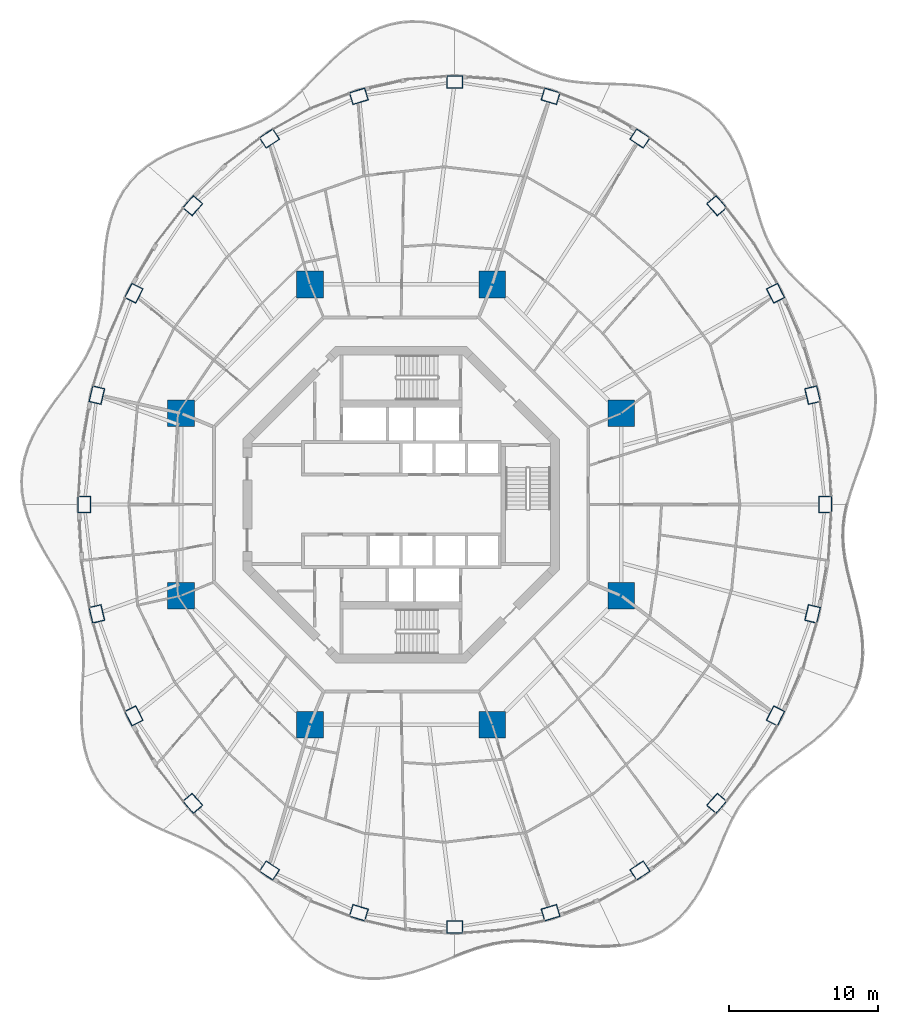
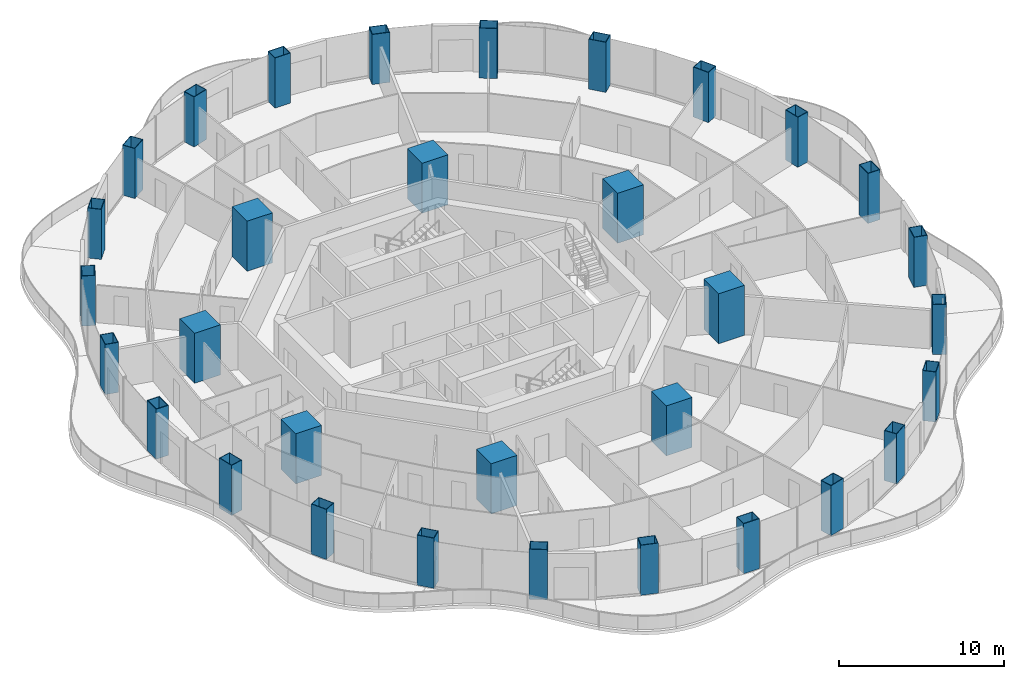
# One storey, part 1 of 19: 32 columns.
"""IFC4 building model written with IfcOpenShell, lengths in metres."""

from ifc_helpers import new_model, si_unit, direction, frame, origin, origin_2d, place, context, subcontext, project, spatial, rectangle, hollow_rectangle, extrude, material, material_profile, profile_set, type_object, element, save


model = new_model("IFC4")

# Units and contexts
model_context = context("Model", 3, precision=1e-05, world=origin(), true_north=direction((0.0, 1.0)))
body_context = subcontext(model_context, "Body", "Model", "MODEL_VIEW")
ifc_project = project(units=[si_unit("LENGTHUNIT", "METRE"), si_unit("AREAUNIT", "SQUARE_METRE"), si_unit("VOLUMEUNIT", "CUBIC_METRE"), si_unit("PLANEANGLEUNIT", "RADIAN"), si_unit("MASSUNIT", "GRAM", prefix="KILO")], contexts=[model_context])

# Site, building, storey
site_placement = place(None, origin())
site = spatial("IfcSite", under=ifc_project, at=site_placement, CompositionType="ELEMENT")
building_placement = place(site_placement, origin())
building = spatial("IfcBuilding", under=site, at=building_placement, Name="Nagisa Residences", CompositionType="ELEMENT")
storey_placement = place(building_placement, frame((0.0, 0.0, 169.60009765625)))
storey = spatial("IfcBuildingStorey", under=building, at=storey_placement, Name="L42", CompositionType="ELEMENT", Elevation=169.60009765625)

# Columns
ifc_material_1 = material(Name="Concrete C80", Category="concrete")
ifc_material_profile_1 = material_profile(ifc_material_1, rectangle(XDim=1.800048828125, YDim=1.800048828125, at=origin_2d()), Name="C80 1800x1800")
ifc_profile_set_1 = profile_set([ifc_material_profile_1], Name="Concrete C80")
column_type_1 = type_object("IfcColumnType", Name="Inner megacolumn C80 1800x1800", PredefinedType="COLUMN", material=ifc_profile_set_1)
for number, where, z_axis, x_axis, name in (
    (1, (14.781982421875, 6.123046875, 0.0), (0.0, 0.0, 1.0), (1.0, 0.0, 0.0), "col:L42:i1"),
    (2, (6.123046875, 14.781982421875, 0.0), (0.0, 0.0, 1.0), (1.0, 0.0, 0.0), "col:L42:i2"),
    (3, (-6.123046875, 14.781982421875, 0.0), (0.0, 0.0, 1.0), (1.0, 0.0, 0.0), "col:L42:i3"),
    (4, (-14.781982421875, 6.123046875, 0.0), (0.0, 0.0, 1.0), (1.0, 0.0, 0.0), "col:L42:i4"),
    (5, (-14.781982421875, -6.123046875, 0.0), (0.0, 0.0, 1.0), (1.0, 0.0, 0.0), "col:L42:i5"),
    (6, (-6.123046875, -14.781982421875, 0.0), (0.0, 0.0, 1.0), (1.0, 0.0, 0.0), "col:L42:i6"),
    (7, (6.123046875, -14.781982421875, 0.0), (0.0, 0.0, 1.0), (1.0, 0.0, 0.0), "col:L42:i7"),
    (8, (14.781982421875, -6.123046875, 0.0), (0.0, 0.0, 1.0), (1.0, 0.0, 0.0), "col:L42:i8"),
):
    element("IfcColumn", number, at=place(storey_placement, frame(where, z_axis=z_axis, x_axis=x_axis)), inside=storey, type_object=column_type_1, Name=name, PredefinedType="COLUMN", context=body_context, shape_type="SweptSolid", body=[
        extrude(rectangle(XDim=1.800048828125, YDim=1.800048828125, at=origin_2d()), origin(), (0.0, 0.0, 1.0), 3.699951171875),
    ])
ifc_material_2 = material(Name="Steel ASTM A572 Gr 50", Category="steel")
ifc_material_profile_2 = material_profile(ifc_material_2, hollow_rectangle(XDim=1.10009765625, YDim=0.85009765625, WallThickness=0.035888671875, at=origin_2d()), Name="BX 1100x850x36")
ifc_profile_set_2 = profile_set([ifc_material_profile_2], Name="Steel ASTM A572 Gr 50")
column_type_2 = type_object("IfcColumnType", Name="Perimeter column BX 1100x850x36", PredefinedType="COLUMN", material=ifc_profile_set_2)
for number, where, z_axis, x_axis, name in (
    (9, (28.47509765625, 0.0, 0.0), (0.0, 0.0, 1.0), (0.0, 1.0, 0.0), "col:L42:p00"),
    (10, (27.62744140625, 7.343994140625, 0.0), (0.0, 0.0, 1.0), (-0.229202013103, 0.973378876486, 0.0), "col:L42:p01"),
    (11, (25.142333984375, 14.1875, 0.0), (0.0, 0.0, 1.0), (-0.452462697578, 0.891783329795, 0.0), "col:L42:p02"),
    (12, (21.189208984375, 20.064208984375, 0.0), (0.0, 0.0, 1.0), (-0.660114607735, 0.751164898445, 0.0), "col:L42:p03"),
    (13, (16.03759765625, 24.573486328125, 0.0), (0.0, 0.0, 1.0), (-0.835766105673, 0.54908561865, 0.0), "col:L42:p04"),
    (14, (10.0380859375, 27.408203125, 0.0), (0.0, 0.0, 1.0), (-0.956524583408, 0.291651712384, 0.0), "col:L42:p05"),
    (15, (3.60009765625, 28.375, 0.0), (0.0, 0.0, 1.0), (-1.0, 0.0, 0.0), "col:L42:p06"),
    (16, (-2.838134765625, 27.408203125, 0.0), (0.0, 0.0, 1.0), (-0.956524583408, -0.291651712384, 0.0), "col:L42:p07"),
    (17, (-8.83740234375, 24.573486328125, 0.0), (0.0, 0.0, 1.0), (-0.835766105673, -0.54908561865, 0.0), "col:L42:p08"),
    (18, (-13.9892578125, 20.064208984375, 0.0), (0.0, 0.0, 1.0), (-0.660114607735, -0.751164898445, 0.0), "col:L42:p09"),
    (19, (-17.9423828125, 14.1875, 0.0), (0.0, 0.0, 1.0), (-0.452462697578, -0.891783329795, 0.0), "col:L42:p10"),
    (20, (-20.427490234375, 7.343994140625, 0.0), (0.0, 0.0, 1.0), (-0.229202013103, -0.973378876486, 0.0), "col:L42:p11"),
    (21, (-21.27490234375, 0.0, 0.0), (0.0, 0.0, 1.0), (0.0, -1.0, 0.0), "col:L42:p12"),
    (22, (-20.427490234375, -7.343994140625, 0.0), (0.0, 0.0, 1.0), (0.229202013103, -0.973378876486, 0.0), "col:L42:p13"),
    (23, (-17.9423828125, -14.1875, 0.0), (0.0, 0.0, 1.0), (0.452462697578, -0.891783329795, 0.0), "col:L42:p14"),
    (24, (-13.9892578125, -20.064208984375, 0.0), (0.0, 0.0, 1.0), (0.660114607735, -0.751164898445, 0.0), "col:L42:p15"),
    (25, (-8.83740234375, -24.573486328125, 0.0), (0.0, 0.0, 1.0), (0.835766105673, -0.54908561865, 0.0), "col:L42:p16"),
    (26, (-2.838134765625, -27.408203125, 0.0), (0.0, 0.0, 1.0), (0.956524583408, -0.291651712384, 0.0), "col:L42:p17"),
    (27, (3.60009765625, -28.375, 0.0), (0.0, 0.0, 1.0), (1.0, 0.0, 0.0), "col:L42:p18"),
    (28, (10.0380859375, -27.408203125, 0.0), (0.0, 0.0, 1.0), (0.956524583408, 0.291651712384, 0.0), "col:L42:p19"),
    (29, (16.03759765625, -24.573486328125, 0.0), (0.0, 0.0, 1.0), (0.835766105673, 0.54908561865, 0.0), "col:L42:p20"),
    (30, (21.189208984375, -20.064208984375, 0.0), (0.0, 0.0, 1.0), (0.660114607735, 0.751164898445, 0.0), "col:L42:p21"),
    (31, (25.142333984375, -14.1875, 0.0), (0.0, 0.0, 1.0), (0.452462697578, 0.891783329795, 0.0), "col:L42:p22"),
    (32, (27.62744140625, -7.343994140625, 0.0), (0.0, 0.0, 1.0), (0.229202013103, 0.973378876486, 0.0), "col:L42:p23"),
):
    element("IfcColumn", number, at=place(storey_placement, frame(where, z_axis=z_axis, x_axis=x_axis)), inside=storey, type_object=column_type_2, Name=name, PredefinedType="COLUMN", context=body_context, shape_type="SweptSolid", body=[
        extrude(hollow_rectangle(XDim=1.10009765625, YDim=0.85009765625, WallThickness=0.035888671875, at=origin_2d()), origin(), (0.0, 0.0, 1.0), 3.699951171875),
    ])

save(model, "model.ifc")
